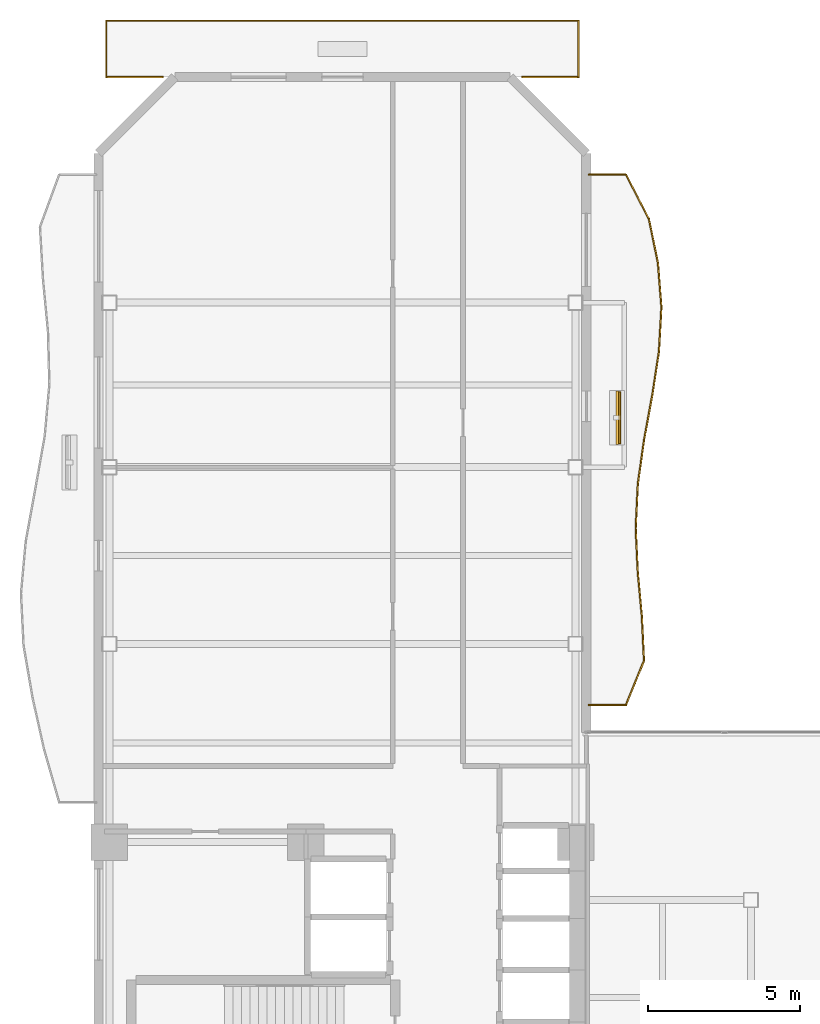
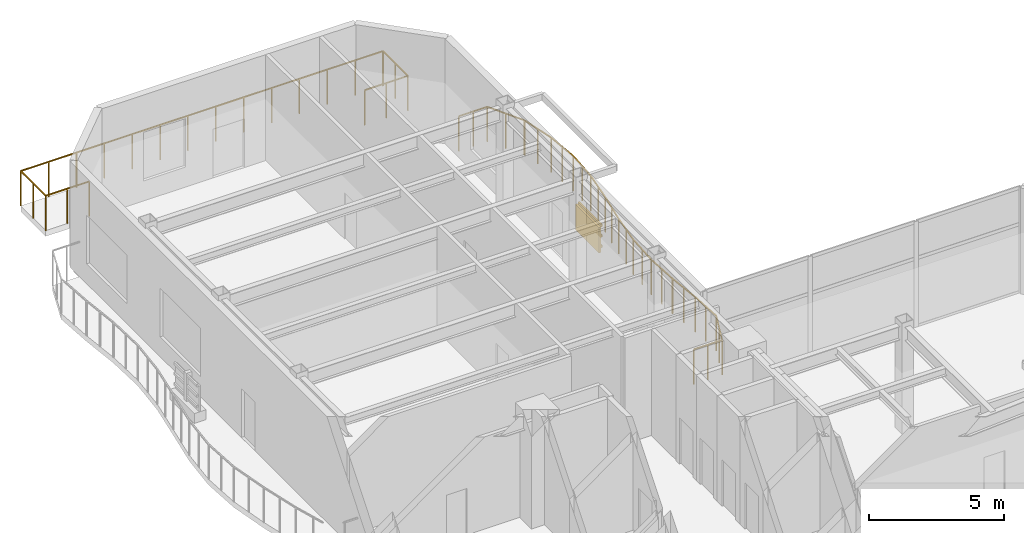
# One storey, part 23 of 23: 6 railings, 4 shading devices.
"""IFC4 building model written with IfcOpenShell, lengths in metres."""

from ifc_helpers import new_model, si_unit, direction, frame, origin, origin_2d, place, context, subcontext, project, spatial, rectangle, extrude, material, layer, layer_set, material_profile, profile_set, type_object, element, save


model = new_model("IFC4")

# Units and contexts
model_context = context("Model", 3, precision=1e-05, world=origin(), true_north=direction((0.0, 1.0)))
body_context = subcontext(model_context, "Body", "Model", "MODEL_VIEW")
ifc_project = project(units=[si_unit("LENGTHUNIT", "METRE"), si_unit("AREAUNIT", "SQUARE_METRE"), si_unit("VOLUMEUNIT", "CUBIC_METRE"), si_unit("PLANEANGLEUNIT", "RADIAN"), si_unit("MASSUNIT", "GRAM", prefix="KILO")], contexts=[model_context])

# Site, building, storey
site_placement = place(None, origin())
site = spatial("IfcSite", under=ifc_project, at=site_placement, CompositionType="ELEMENT")
building_placement = place(site_placement, origin())
building = spatial("IfcBuilding", under=site, at=building_placement, Name="Mawjaban Terraces University", CompositionType="ELEMENT")
storey_placement = place(building_placement, frame((0.0, 0.0, 98.39990234375)))
storey = spatial("IfcBuildingStorey", under=building, at=storey_placement, Name="L23", CompositionType="ELEMENT", Elevation=98.39990234375)

# Railings
ifc_material_1 = material(Name="Galvanised powder-coated steel S355", Category="steel")
railing_type = type_object("IfcRailingType", Name="BalconyBalustrade_1600", PredefinedType="BALUSTRADE", material=ifc_material_1)
railing_1_placement = place(storey_placement, frame((38.080078125, 28.0, 0.0)))
element("IfcRailing", 1, at=railing_1_placement, inside=storey, type_object=railing_type, Name="L23 Balcony Guardrail inner_east", PredefinedType="BALUSTRADE", context=body_context, shape_type="SweptSolid", body=[
    extrude(rectangle(XDim=0.048095703125, YDim=0.048095703125, at=origin_2d()), frame((0.0, 0.0, 1.576171875), z_axis=(1.0, 0.0, 0.0), x_axis=(0.0, 1.0, 0.0)), (0.0, 0.0, 1.0), 1.219970703125),
    extrude(rectangle(XDim=0.048095703125, YDim=0.048095703125, at=origin_2d()), frame((1.219970703125, 0.0, 1.576171875), z_axis=(0.378553955089, 0.925579225721, 0.0), x_axis=(-0.925579225721, 0.378553955089, 0.0)), (0.0, 0.0, 1.0), 1.566650390625),
    extrude(rectangle(XDim=0.048095703125, YDim=0.048095703125, at=origin_2d()), frame((1.81298828125, 1.449951171875, 1.576171875), z_axis=(-0.046925853968, 0.998898375326, 0.0), x_axis=(-0.998898375326, -0.046925853968, 0.0)), (0.0, 0.0, 1.0), 1.45166015625),
    extrude(rectangle(XDim=0.048095703125, YDim=0.048095703125, at=origin_2d()), frame((1.744873046875, 2.89990234375, 1.576171875), z_axis=(-0.092696800251, 0.99569438244, 0.0), x_axis=(-0.99569438244, -0.092696800251, 0.0)), (0.0, 0.0, 1.0), 1.45654296875),
    extrude(rectangle(XDim=0.048095703125, YDim=0.048095703125, at=origin_2d()), frame((1.60986328125, 4.35009765625, 1.576171875), z_axis=(-0.046758029326, 0.998906245197, 0.0), x_axis=(-0.998906245197, -0.046758029326, 0.0)), (0.0, 0.0, 1.0), 1.45166015625),
    extrude(rectangle(XDim=0.048095703125, YDim=0.048095703125, at=origin_2d()), frame((1.5419921875, 5.800048828125, 1.576171875), z_axis=(0.048100514413, 0.998842500354, 0.0), x_axis=(-0.998842500354, 0.048100514413, 0.0)), (0.0, 0.0, 1.0), 1.45166015625),
    extrude(rectangle(XDim=0.048095703125, YDim=0.048095703125, at=origin_2d()), frame((1.61181640625, 7.25, 1.576171875), z_axis=(0.139390229711, 0.990237529011, 0.0), x_axis=(-0.990237529011, 0.139390229711, 0.0)), (0.0, 0.0, 1.0), 1.46435546875),
    extrude(rectangle(XDim=0.048095703125, YDim=0.048095703125, at=origin_2d()), frame((1.81591796875, 8.699951171875, 1.576171875), z_axis=(0.181158214796, 0.983453964968, 0.0), x_axis=(-0.983453964968, 0.181158214796, 0.0)), (0.0, 0.0, 1.0), 1.474365234375),
    extrude(rectangle(XDim=0.048095703125, YDim=0.048095703125, at=origin_2d()), frame((2.0830078125, 10.14990234375, 1.576171875), z_axis=(0.151269319998, 0.988492586127, 0.0), x_axis=(-0.988492586127, 0.151269319998, 0.0)), (0.0, 0.0, 1.0), 1.467041015625),
    extrude(rectangle(XDim=0.048095703125, YDim=0.048095703125, at=origin_2d()), frame((2.304931640625, 11.60009765625, 1.576171875), z_axis=(0.055144118034, 0.998478405498, 0.0), x_axis=(-0.998478405498, 0.055144118034, 0.0)), (0.0, 0.0, 1.0), 1.4521484375),
    extrude(rectangle(XDim=0.048095703125, YDim=0.048095703125, at=origin_2d()), frame((2.385009765625, 13.050048828125, 1.576171875), z_axis=(-0.077723422493, 0.996974959363, 0.0), x_axis=(-0.996974959363, -0.077723422493, 0.0)), (0.0, 0.0, 1.0), 1.454345703125),
    extrude(rectangle(XDim=0.048095703125, YDim=0.048095703125, at=origin_2d()), frame((2.27197265625, 14.5, 1.576171875), z_axis=(-0.202011186652, 0.979383214308, 0.0), x_axis=(-0.979383214308, -0.202011186652, 0.0)), (0.0, 0.0, 1.0), 1.48046875),
    extrude(rectangle(XDim=0.048095703125, YDim=0.048095703125, at=origin_2d()), frame((1.972900390625, 15.949951171875, 1.576171875), z_axis=(-0.460849222304, 0.887478447232, 0.0), x_axis=(-0.887478447232, -0.460849222304, 0.0)), (0.0, 0.0, 1.0), 1.6337890625),
    extrude(rectangle(XDim=0.048095703125, YDim=0.048095703125, at=origin_2d()), frame((1.219970703125, 17.39990234375, 1.576171875), z_axis=(-1.0, 0.0, 0.0), x_axis=(0.0, -1.0, 0.0)), (0.0, 0.0, 1.0), 1.219970703125),
    extrude(rectangle(XDim=0.0419921875, YDim=0.0419921875, at=origin_2d()), origin(), (0.0, 0.0, 1.0), 1.552001953125),
    extrude(rectangle(XDim=0.0419921875, YDim=0.0419921875, at=origin_2d()), frame((0.60986328125, 0.0, 0.0)), (0.0, 0.0, 1.0), 1.552001953125),
    extrude(rectangle(XDim=0.0419921875, YDim=0.0419921875, at=origin_2d()), frame((1.219970703125, 0.0, 0.0)), (0.0, 0.0, 1.0), 1.552001953125),
    extrude(rectangle(XDim=0.0419921875, YDim=0.0419921875, at=origin_2d()), frame((1.5166015625, 0.72509765625, 0.0)), (0.0, 0.0, 1.0), 1.552001953125),
    extrude(rectangle(XDim=0.0419921875, YDim=0.0419921875, at=origin_2d()), frame((1.81298828125, 1.449951171875, 0.0)), (0.0, 0.0, 1.0), 1.552001953125),
    extrude(rectangle(XDim=0.0419921875, YDim=0.0419921875, at=origin_2d()), frame((1.77880859375, 2.1748046875, 0.0)), (0.0, 0.0, 1.0), 1.552001953125),
    extrude(rectangle(XDim=0.0419921875, YDim=0.0419921875, at=origin_2d()), frame((1.744873046875, 2.89990234375, 0.0)), (0.0, 0.0, 1.0), 1.552001953125),
    extrude(rectangle(XDim=0.0419921875, YDim=0.0419921875, at=origin_2d()), frame((1.67724609375, 3.625, 0.0)), (0.0, 0.0, 1.0), 1.552001953125),
    extrude(rectangle(XDim=0.0419921875, YDim=0.0419921875, at=origin_2d()), frame((1.60986328125, 4.35009765625, 0.0)), (0.0, 0.0, 1.0), 1.552001953125),
    extrude(rectangle(XDim=0.0419921875, YDim=0.0419921875, at=origin_2d()), frame((1.575927734375, 5.0751953125, 0.0)), (0.0, 0.0, 1.0), 1.552001953125),
    extrude(rectangle(XDim=0.0419921875, YDim=0.0419921875, at=origin_2d()), frame((1.5419921875, 5.800048828125, 0.0)), (0.0, 0.0, 1.0), 1.552001953125),
    extrude(rectangle(XDim=0.0419921875, YDim=0.0419921875, at=origin_2d()), frame((1.576904296875, 6.52490234375, 0.0)), (0.0, 0.0, 1.0), 1.552001953125),
    extrude(rectangle(XDim=0.0419921875, YDim=0.0419921875, at=origin_2d()), frame((1.61181640625, 7.25, 0.0)), (0.0, 0.0, 1.0), 1.552001953125),
    extrude(rectangle(XDim=0.0419921875, YDim=0.0419921875, at=origin_2d()), frame((1.7138671875, 7.97509765625, 0.0)), (0.0, 0.0, 1.0), 1.552001953125),
    extrude(rectangle(XDim=0.0419921875, YDim=0.0419921875, at=origin_2d()), frame((1.81591796875, 8.699951171875, 0.0)), (0.0, 0.0, 1.0), 1.552001953125),
    extrude(rectangle(XDim=0.0419921875, YDim=0.0419921875, at=origin_2d()), frame((1.949462890625, 9.4248046875, 0.0)), (0.0, 0.0, 1.0), 1.552001953125),
    extrude(rectangle(XDim=0.0419921875, YDim=0.0419921875, at=origin_2d()), frame((2.0830078125, 10.14990234375, 0.0)), (0.0, 0.0, 1.0), 1.552001953125),
    extrude(rectangle(XDim=0.0419921875, YDim=0.0419921875, at=origin_2d()), frame((2.19384765625, 10.875, 0.0)), (0.0, 0.0, 1.0), 1.552001953125),
    extrude(rectangle(XDim=0.0419921875, YDim=0.0419921875, at=origin_2d()), frame((2.304931640625, 11.60009765625, 0.0)), (0.0, 0.0, 1.0), 1.552001953125),
    extrude(rectangle(XDim=0.0419921875, YDim=0.0419921875, at=origin_2d()), frame((2.344970703125, 12.3251953125, 0.0)), (0.0, 0.0, 1.0), 1.552001953125),
    extrude(rectangle(XDim=0.0419921875, YDim=0.0419921875, at=origin_2d()), frame((2.385009765625, 13.050048828125, 0.0)), (0.0, 0.0, 1.0), 1.552001953125),
    extrude(rectangle(XDim=0.0419921875, YDim=0.0419921875, at=origin_2d()), frame((2.32861328125, 13.77490234375, 0.0)), (0.0, 0.0, 1.0), 1.552001953125),
    extrude(rectangle(XDim=0.0419921875, YDim=0.0419921875, at=origin_2d()), frame((2.27197265625, 14.5, 0.0)), (0.0, 0.0, 1.0), 1.552001953125),
    extrude(rectangle(XDim=0.0419921875, YDim=0.0419921875, at=origin_2d()), frame((2.12255859375, 15.22509765625, 0.0)), (0.0, 0.0, 1.0), 1.552001953125),
    extrude(rectangle(XDim=0.0419921875, YDim=0.0419921875, at=origin_2d()), frame((1.972900390625, 15.949951171875, 0.0)), (0.0, 0.0, 1.0), 1.552001953125),
    extrude(rectangle(XDim=0.0419921875, YDim=0.0419921875, at=origin_2d()), frame((1.596435546875, 16.6748046875, 0.0)), (0.0, 0.0, 1.0), 1.552001953125),
    extrude(rectangle(XDim=0.0419921875, YDim=0.0419921875, at=origin_2d()), frame((1.219970703125, 17.39990234375, 0.0)), (0.0, 0.0, 1.0), 1.552001953125),
    extrude(rectangle(XDim=0.0419921875, YDim=0.0419921875, at=origin_2d()), frame((0.60986328125, 17.39990234375, 0.0)), (0.0, 0.0, 1.0), 1.552001953125),
    extrude(rectangle(XDim=0.0419921875, YDim=0.0419921875, at=origin_2d()), frame((0.0, 17.39990234375, 0.0)), (0.0, 0.0, 1.0), 1.552001953125),
])
for number, where, name in (
    (2, (22.25, 48.60009765625, 0.0), "L23 Terrace Guardrail TER-L23-NORTH.1"),
    (3, (35.89599609375, 48.60009765625, 0.0), "L23 Terrace Guardrail TER-L23-NORTH.2"),
):
    element("IfcRailing", number, at=place(storey_placement, frame(where)), inside=storey, type_object=railing_type, Name=name, PredefinedType="BALUSTRADE", context=body_context, shape_type="SweptSolid", body=[
        extrude(rectangle(XDim=0.048095703125, YDim=0.048095703125, at=origin_2d()), frame((0.0, 0.0, 1.576171875), z_axis=(1.0, 0.0, 0.0), x_axis=(0.0, 1.0, 0.0)), (0.0, 0.0, 1.0), 1.85400390625),
        extrude(rectangle(XDim=0.0419921875, YDim=0.0419921875, at=origin_2d()), origin(), (0.0, 0.0, 1.0), 1.552001953125),
        extrude(rectangle(XDim=0.0419921875, YDim=0.0419921875, at=origin_2d()), frame((0.927001953125, 0.0, 0.0)), (0.0, 0.0, 1.0), 1.552001953125),
        extrude(rectangle(XDim=0.0419921875, YDim=0.0419921875, at=origin_2d()), frame((1.85400390625, 0.0, 0.0)), (0.0, 0.0, 1.0), 1.552001953125),
    ])
railing_2_placement = place(storey_placement, frame((37.75, 48.60009765625, 0.0)))
element("IfcRailing", 4, at=railing_2_placement, inside=storey, type_object=railing_type, Name="L23 Terrace Guardrail TER-L23-NORTH.3", PredefinedType="BALUSTRADE", context=body_context, shape_type="SweptSolid", body=[
    extrude(rectangle(XDim=0.048095703125, YDim=0.048095703125, at=origin_2d()), frame((0.0, 0.0, 1.576171875), z_axis=(0.0, 1.0, 0.0), x_axis=(-1.0, 0.0, 0.0)), (0.0, 0.0, 1.0), 1.849853515625),
    extrude(rectangle(XDim=0.0419921875, YDim=0.0419921875, at=origin_2d()), origin(), (0.0, 0.0, 1.0), 1.552001953125),
    extrude(rectangle(XDim=0.0419921875, YDim=0.0419921875, at=origin_2d()), frame((0.0, 0.9248046875, 0.0)), (0.0, 0.0, 1.0), 1.552001953125),
    extrude(rectangle(XDim=0.0419921875, YDim=0.0419921875, at=origin_2d()), frame((0.0, 1.849853515625, 0.0)), (0.0, 0.0, 1.0), 1.552001953125),
])
railing_3_placement = place(storey_placement, frame((37.75, 50.449951171875, 0.0)))
element("IfcRailing", 5, at=railing_3_placement, inside=storey, type_object=railing_type, Name="L23 Terrace Guardrail TER-L23-NORTH.4", PredefinedType="BALUSTRADE", context=body_context, shape_type="SweptSolid", body=[
    extrude(rectangle(XDim=0.048095703125, YDim=0.048095703125, at=origin_2d()), frame((0.0, 0.0, 1.576171875), z_axis=(-1.0, 0.0, 0.0), x_axis=(0.0, -1.0, 0.0)), (0.0, 0.0, 1.0), 15.5),
    extrude(rectangle(XDim=0.0419921875, YDim=0.0419921875, at=origin_2d()), origin(), (0.0, 0.0, 1.0), 1.552001953125),
    extrude(rectangle(XDim=0.0419921875, YDim=0.0419921875, at=origin_2d()), frame((-1.1923828125, 0.0, 0.0)), (0.0, 0.0, 1.0), 1.552001953125),
    extrude(rectangle(XDim=0.0419921875, YDim=0.0419921875, at=origin_2d()), frame((-2.384521484375, 0.0, 0.0)), (0.0, 0.0, 1.0), 1.552001953125),
    extrude(rectangle(XDim=0.0419921875, YDim=0.0419921875, at=origin_2d()), frame((-3.576904296875, 0.0, 0.0)), (0.0, 0.0, 1.0), 1.552001953125),
    extrude(rectangle(XDim=0.0419921875, YDim=0.0419921875, at=origin_2d()), frame((-4.769287109375, 0.0, 0.0)), (0.0, 0.0, 1.0), 1.552001953125),
    extrude(rectangle(XDim=0.0419921875, YDim=0.0419921875, at=origin_2d()), frame((-5.96142578125, 0.0, 0.0)), (0.0, 0.0, 1.0), 1.552001953125),
    extrude(rectangle(XDim=0.0419921875, YDim=0.0419921875, at=origin_2d()), frame((-7.15380859375, 0.0, 0.0)), (0.0, 0.0, 1.0), 1.552001953125),
    extrude(rectangle(XDim=0.0419921875, YDim=0.0419921875, at=origin_2d()), frame((-8.34619140625, 0.0, 0.0)), (0.0, 0.0, 1.0), 1.552001953125),
    extrude(rectangle(XDim=0.0419921875, YDim=0.0419921875, at=origin_2d()), frame((-9.53857421875, 0.0, 0.0)), (0.0, 0.0, 1.0), 1.552001953125),
    extrude(rectangle(XDim=0.0419921875, YDim=0.0419921875, at=origin_2d()), frame((-10.730712890625, 0.0, 0.0)), (0.0, 0.0, 1.0), 1.552001953125),
    extrude(rectangle(XDim=0.0419921875, YDim=0.0419921875, at=origin_2d()), frame((-11.923095703125, 0.0, 0.0)), (0.0, 0.0, 1.0), 1.552001953125),
    extrude(rectangle(XDim=0.0419921875, YDim=0.0419921875, at=origin_2d()), frame((-13.115478515625, 0.0, 0.0)), (0.0, 0.0, 1.0), 1.552001953125),
    extrude(rectangle(XDim=0.0419921875, YDim=0.0419921875, at=origin_2d()), frame((-14.3076171875, 0.0, 0.0)), (0.0, 0.0, 1.0), 1.552001953125),
    extrude(rectangle(XDim=0.0419921875, YDim=0.0419921875, at=origin_2d()), frame((-15.5, 0.0, 0.0)), (0.0, 0.0, 1.0), 1.552001953125),
])
railing_4_placement = place(storey_placement, frame((22.25, 50.449951171875, 0.0)))
element("IfcRailing", 6, at=railing_4_placement, inside=storey, type_object=railing_type, Name="L23 Terrace Guardrail TER-L23-NORTH.5", PredefinedType="BALUSTRADE", context=body_context, shape_type="SweptSolid", body=[
    extrude(rectangle(XDim=0.048095703125, YDim=0.048095703125, at=origin_2d()), frame((0.0, 0.0, 1.576171875), z_axis=(0.0, -1.0, 0.0), x_axis=(1.0, 0.0, 0.0)), (0.0, 0.0, 1.0), 1.849853515625),
    extrude(rectangle(XDim=0.0419921875, YDim=0.0419921875, at=origin_2d()), origin(), (0.0, 0.0, 1.0), 1.552001953125),
    extrude(rectangle(XDim=0.0419921875, YDim=0.0419921875, at=origin_2d()), frame((0.0, -0.9248046875, 0.0)), (0.0, 0.0, 1.0), 1.552001953125),
    extrude(rectangle(XDim=0.0419921875, YDim=0.0419921875, at=origin_2d()), frame((0.0, -1.849853515625, 0.0)), (0.0, 0.0, 1.0), 1.552001953125),
])

# Shading devices
ifc_material_2 = material(Name="Glazed architectural terracotta ceramic", Category="masonry")
ifc_material_profile = material_profile(ifc_material_2, rectangle(XDim=0.06494140625, YDim=0.110107421875, at=origin_2d()), Name="TBAG110X65")
ifc_profile_set = profile_set([ifc_material_profile], Name="Glazed architectural terracotta ceramic")
shading_device_type_1 = type_object("IfcShadingDeviceType", Name="TerracottaBaguette_110x65", PredefinedType="USERDEFINED", material=ifc_profile_set)
for number, where, z_axis, x_axis, name in (
    (7, (39.094970703125, 36.574951171875, 0.68017578125), (0.0, 1.0, 0.0), (-1.0, 0.0, 0.0), "L23 Horizontal Terracotta Baguette inner_east.1"),
    (8, (39.094970703125, 36.574951171875, 1.150146484375), (0.0, 1.0, 0.0), (-1.0, 0.0, 0.0), "L23 Horizontal Terracotta Baguette inner_east.2"),
    (9, (39.094970703125, 36.574951171875, 1.6201171875), (0.0, 1.0, 0.0), (-1.0, 0.0, 0.0), "L23 Horizontal Terracotta Baguette inner_east.3"),
):
    element("IfcShadingDevice", number, at=place(storey_placement, frame(where, z_axis=z_axis, x_axis=x_axis)), inside=storey, type_object=shading_device_type_1, Name=name, ObjectType="BAGUETTE", PredefinedType="USERDEFINED", context=body_context, shape_type="SweptSolid", body=[
        extrude(rectangle(XDim=0.06494140625, YDim=0.110107421875, at=origin_2d()), origin(), (0.0, 0.0, 1.0), 1.699951171875),
    ])
ifc_layer = layer(ifc_material_2, 0.080078125)
ifc_layer_set = layer_set([ifc_layer], Name="Glazed architectural terracotta ceramic")
shading_device_type_2 = type_object("IfcShadingDeviceType", Name="TerracottaScreen_Perforated", PredefinedType="USERDEFINED", material=ifc_layer_set)
shading_device_placement = place(storey_placement, frame((39.010009765625, 37.425048828125, 0.440185546875), z_axis=(0.0, 0.0, 1.0), x_axis=(0.0, 1.0, 0.0)))
element("IfcShadingDevice", 10, at=shading_device_placement, inside=storey, type_object=shading_device_type_2, Name="L23 Balcony Perforated Terracotta Screen inner_east", ObjectType="SCREEN", PredefinedType="USERDEFINED", context=body_context, shape_type="SweptSolid", body=[
    extrude(rectangle(XDim=1.75, YDim=0.080078125, at=origin_2d()), origin(), (0.0, 0.0, 1.0), 1.14990234375),
])

save(model, "model.ifc")
